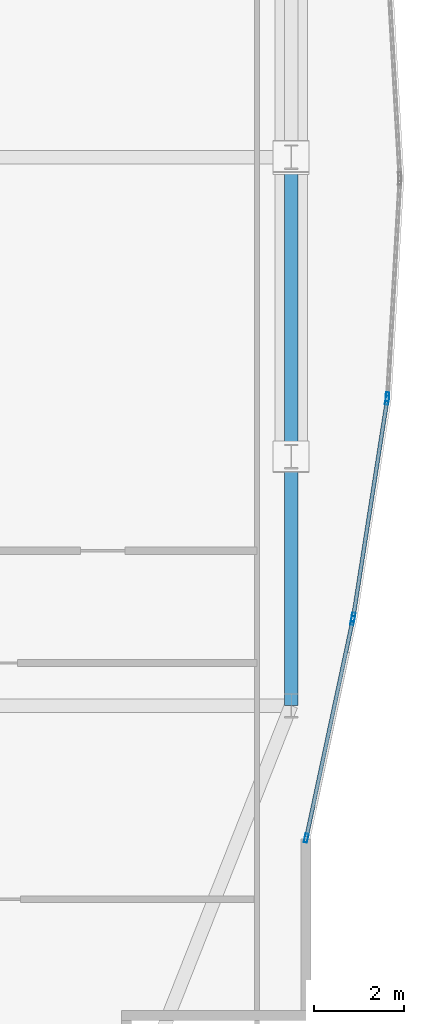
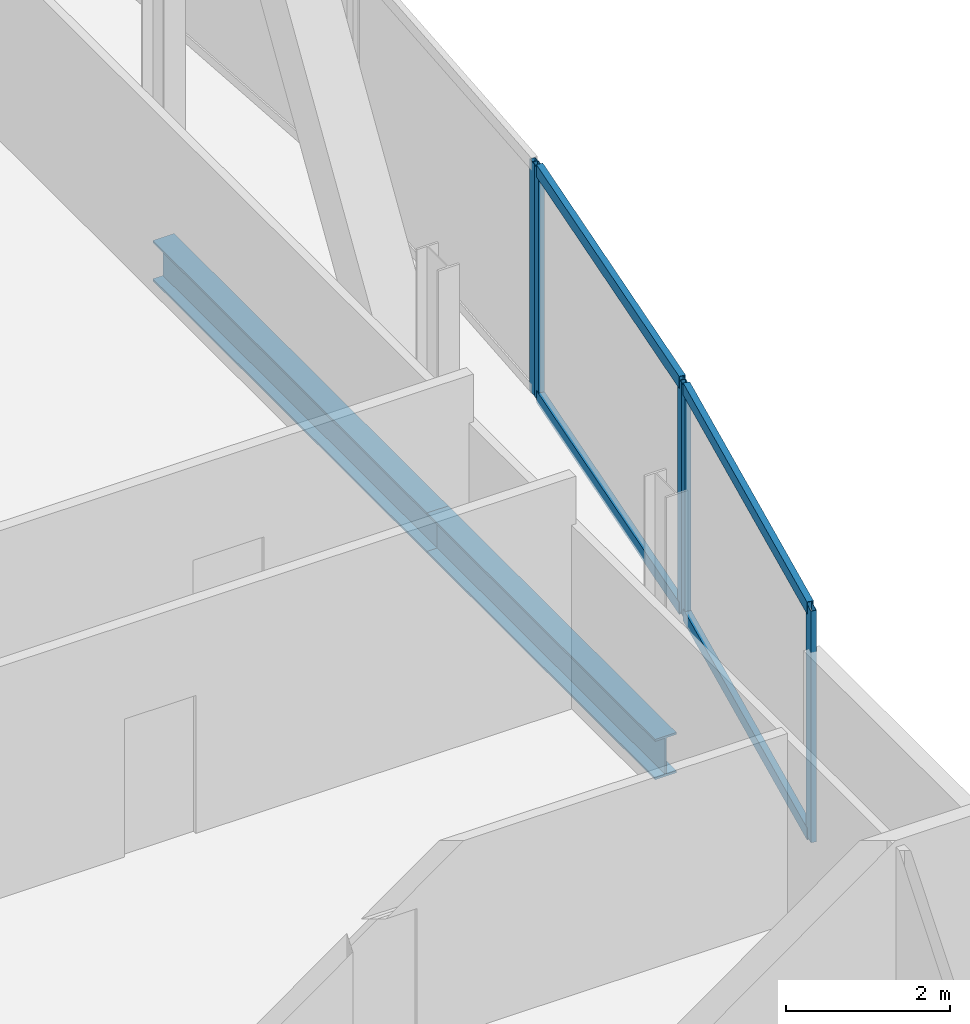
# One storey, part 21 of 30: 9 members, 2 beams, 3 elements without a shape of their own.
"""IFC4 building model written with IfcOpenShell, lengths in metres."""

from ifc_helpers import new_model, si_unit, direction, frame, origin, origin_2d, place, context, subcontext, project, spatial, hollow_rectangle, i_section, extrude, material, material_profile, profile_set, type_object, element, aggregate, save


model = new_model("IFC4")

# Units and contexts
model_context = context("Model", 3, precision=1e-05, world=origin(), true_north=direction((0.0, 1.0)))
body_context = subcontext(model_context, "Body", "Model", "MODEL_VIEW")
ifc_project = project(units=[si_unit("LENGTHUNIT", "METRE"), si_unit("AREAUNIT", "SQUARE_METRE"), si_unit("VOLUMEUNIT", "CUBIC_METRE"), si_unit("PLANEANGLEUNIT", "RADIAN"), si_unit("MASSUNIT", "GRAM", prefix="KILO")], contexts=[model_context])

# Site, building, storey
site_placement = place(None, origin())
site = spatial("IfcSite", under=ifc_project, at=site_placement, CompositionType="ELEMENT")
building_placement = place(site_placement, origin())
building = spatial("IfcBuilding", under=site, at=building_placement, Name="Khoronbel Lancet Exchange", CompositionType="ELEMENT")
storey_placement = place(building_placement, frame((0.0, 0.0, 157.800048828125)))
storey = spatial("IfcBuildingStorey", under=building, at=storey_placement, Name="L39", CompositionType="ELEMENT", Elevation=157.800048828125)

# Beams
ifc_material_1 = material(Name="Steel S355", Category="steel")
ifc_material_profile_1 = material_profile(ifc_material_1, i_section(OverallWidth=0.300048828125, OverallDepth=0.60009765625, WebThickness=0.015380859375, FlangeThickness=0.030029296875, at=origin_2d()), Name="HEB 600")
ifc_profile_set_1 = profile_set([ifc_material_profile_1], Name="Steel S355")
beam_type = type_object("IfcBeamType", Name="BM-BSP2", PredefinedType="SPANDREL", material=ifc_profile_set_1)
beam_1_placement = place(storey_placement, frame((67.6298828125, 19.199951171875, -0.4599609375), z_axis=(0.0, 1.0, 0.0), x_axis=(-1.0, 0.0, 0.0)))
element("IfcBeam", 1, at=beam_1_placement, inside=storey, type_object=beam_type, Name="Level L39 perimeter spandrel beam SP11", PredefinedType="SPANDREL", context=body_context, shape_type="SweptSolid", body=[
    extrude(i_section(OverallWidth=0.300048828125, OverallDepth=0.60009765625, WebThickness=0.015380859375, FlangeThickness=0.030029296875, at=origin_2d()), origin(), (0.0, 0.0, 1.0), 5.550048828125),
])
beam_2_placement = place(storey_placement, frame((67.6298828125, 24.75, -0.4599609375), z_axis=(0.0, 1.0, 0.0), x_axis=(-1.0, 0.0, 0.0)))
element("IfcBeam", 2, at=beam_2_placement, inside=storey, type_object=beam_type, Name="Level L39 perimeter spandrel beam SP12", PredefinedType="SPANDREL", context=body_context, shape_type="SweptSolid", body=[
    extrude(i_section(OverallWidth=0.300048828125, OverallDepth=0.60009765625, WebThickness=0.015380859375, FlangeThickness=0.030029296875, at=origin_2d()), origin(), (0.0, 0.0, 1.0), 6.675048828125),
])

# Curtain wall, member
ifc_material_2 = material(Name="Low-E Solar Control Insulating Glass", Category="glass")
curtain_wall_type = type_object("IfcCurtainWallType", Name="CW-4", PredefinedType="NOTDEFINED", material=ifc_material_2)
curtain_wall_1_placement = place(storey_placement, origin())
curtain_wall_1 = element("IfcCurtainWall", 3, at=curtain_wall_1_placement, inside=storey, type_object=curtain_wall_type, Name="Unitised curtain wall CW-L39-E20", PredefinedType="NOTDEFINED")
ifc_material_3 = material(Name="Bronze-Anodised Aluminium 6063-T6", Category="aluminium")
ifc_material_profile_2 = material_profile(ifc_material_3, hollow_rectangle(XDim=0.074951171875, YDim=0.199951171875, WallThickness=0.0048828125, at=origin_2d()), Name="ALU MULLION 75x200")
ifc_profile_set_2 = profile_set([ifc_material_profile_2], Name="Bronze-Anodised Aluminium 6063-T6")
member_type_1 = type_object("IfcMemberType", Name="MEM-CWM2", PredefinedType="MULLION", material=ifc_profile_set_2)
member_1_placement = place(storey_placement, frame((69.77783203125, 26.080322265625, 0.0), z_axis=(0.0, 0.0, 1.0), x_axis=(0.998372625392, -0.05702719411, 0.0)))
member_1 = element("IfcMember", 4, at=member_1_placement, type_object=member_type_1, Name="CW4 mullion 2", PredefinedType="MULLION", context=body_context, shape_type="SweptSolid", body=[
    extrude(hollow_rectangle(XDim=0.074951171875, YDim=0.199951171875, WallThickness=0.0048828125, at=origin_2d()), origin(), (0.0, 0.0, 1.0), 3.43994140625),
])
aggregate(curtain_wall_1, [member_1])

# Curtain wall, members
curtain_wall_2_placement = place(storey_placement, origin())
curtain_wall_2 = element("IfcCurtainWall", 5, at=curtain_wall_2_placement, inside=storey, type_object=curtain_wall_type, Name="Unitised curtain wall CW-L39-E21", PredefinedType="NOTDEFINED")
member_2_placement = place(storey_placement, frame((69.77001953125, 26.005859375, 0.0), z_axis=(0.0, 0.0, 1.0), x_axis=(0.98804136719, -0.154189029189, 0.0)))
member_2 = element("IfcMember", 6, at=member_2_placement, type_object=member_type_1, Name="CW4 mullion 1", PredefinedType="MULLION", context=body_context, shape_type="SweptSolid", body=[
    extrude(hollow_rectangle(XDim=0.074951171875, YDim=0.199951171875, WallThickness=0.0048828125, at=origin_2d()), origin(), (0.0, 0.0, 1.0), 3.43994140625),
])
member_3_placement = place(storey_placement, frame((69.015380859375, 21.170166015625, 0.0), z_axis=(0.0, 0.0, 1.0), x_axis=(0.98804136719, -0.154189029189, 0.0)))
member_3 = element("IfcMember", 7, at=member_3_placement, type_object=member_type_1, Name="CW4 mullion 2", PredefinedType="MULLION", context=body_context, shape_type="SweptSolid", body=[
    extrude(hollow_rectangle(XDim=0.074951171875, YDim=0.199951171875, WallThickness=0.0048828125, at=origin_2d()), origin(), (0.0, 0.0, 1.0), 3.43994140625),
])

curtain_wall_3_placement = place(storey_placement, origin())
curtain_wall_3 = element("IfcCurtainWall", 8, at=curtain_wall_3_placement, inside=storey, type_object=curtain_wall_type, Name="Unitised curtain wall CW-L39-E22", PredefinedType="NOTDEFINED")
member_4_placement = place(storey_placement, frame((69.001708984375, 21.096435546875, 0.0), z_axis=(0.0, 0.0, 1.0), x_axis=(0.978023090529, -0.208496605228, 0.0)))
member_4 = element("IfcMember", 9, at=member_4_placement, type_object=member_type_1, Name="CW4 mullion 1", PredefinedType="MULLION", context=body_context, shape_type="SweptSolid", body=[
    extrude(hollow_rectangle(XDim=0.074951171875, YDim=0.199951171875, WallThickness=0.0048828125, at=origin_2d()), origin(), (0.0, 0.0, 1.0), 3.43994140625),
])
member_5_placement = place(storey_placement, frame((67.9677734375, 16.24609375, 0.0), z_axis=(0.0, 0.0, 1.0), x_axis=(0.978023090529, -0.208496605228, 0.0)))
member_5 = element("IfcMember", 10, at=member_5_placement, type_object=member_type_1, Name="CW4 mullion 2", PredefinedType="MULLION", context=body_context, shape_type="SweptSolid", body=[
    extrude(hollow_rectangle(XDim=0.074951171875, YDim=0.199951171875, WallThickness=0.0048828125, at=origin_2d()), origin(), (0.0, 0.0, 1.0), 3.43994140625),
])

# Member
ifc_material_profile_3 = material_profile(ifc_material_3, hollow_rectangle(XDim=0.0849609375, YDim=0.179931640625, WallThickness=0.0048828125, at=origin_2d()), Name="ALU TRANSOM 85x180")
ifc_profile_set_3 = profile_set([ifc_material_profile_3], Name="Bronze-Anodised Aluminium 6063-T6")
member_type_2 = type_object("IfcMemberType", Name="MEM-CWT1", PredefinedType="USERDEFINED", material=ifc_profile_set_3)
member_6_placement = place(storey_placement, frame((69.76416015625, 25.96875, 0.04248046875), z_axis=(-0.154154345214, -0.988046779182, 0.0), x_axis=(0.988046779182, -0.154154345214, 0.0)))
member_6 = element("IfcMember", 11, at=member_6_placement, type_object=member_type_2, Name="CW4 transom 1.1", ObjectType="TRANSOM", PredefinedType="USERDEFINED", context=body_context, shape_type="SweptSolid", body=[
    extrude(hollow_rectangle(XDim=0.0849609375, YDim=0.179931640625, WallThickness=0.0048828125, at=origin_2d()), origin(), (0.0, 0.0, 1.0), 4.8193359375),
])

member_7_placement = place(storey_placement, frame((69.76416015625, 25.96875, 3.3974609375), z_axis=(-0.154154345214, -0.988046779182, 0.0), x_axis=(0.988046779182, -0.154154345214, 0.0)))
member_7 = element("IfcMember", 12, at=member_7_placement, type_object=member_type_2, Name="CW4 transom 1.2", ObjectType="TRANSOM", PredefinedType="USERDEFINED", context=body_context, shape_type="SweptSolid", body=[
    extrude(hollow_rectangle(XDim=0.0849609375, YDim=0.179931640625, WallThickness=0.0048828125, at=origin_2d()), origin(), (0.0, 0.0, 1.0), 4.8193359375),
])

aggregate(curtain_wall_2, [member_2, member_3, member_6, member_7])

member_8_placement = place(storey_placement, frame((68.993896484375, 21.0595703125, 0.04248046875), z_axis=(-0.208501407633, -0.978022066732, 0.0), x_axis=(0.978022066732, -0.208501407633, 0.0)))
member_8 = element("IfcMember", 13, at=member_8_placement, type_object=member_type_2, Name="CW4 transom 1.1", ObjectType="TRANSOM", PredefinedType="USERDEFINED", context=body_context, shape_type="SweptSolid", body=[
    extrude(hollow_rectangle(XDim=0.0849609375, YDim=0.179931640625, WallThickness=0.0048828125, at=origin_2d()), origin(), (0.0, 0.0, 1.0), 4.884033203125),
])

member_9_placement = place(storey_placement, frame((68.993896484375, 21.0595703125, 3.3974609375), z_axis=(-0.208501407633, -0.978022066732, 0.0), x_axis=(0.978022066732, -0.208501407633, 0.0)))
member_9 = element("IfcMember", 14, at=member_9_placement, type_object=member_type_2, Name="CW4 transom 1.2", ObjectType="TRANSOM", PredefinedType="USERDEFINED", context=body_context, shape_type="SweptSolid", body=[
    extrude(hollow_rectangle(XDim=0.0849609375, YDim=0.179931640625, WallThickness=0.0048828125, at=origin_2d()), origin(), (0.0, 0.0, 1.0), 4.884033203125),
])

aggregate(curtain_wall_3, [member_4, member_5, member_8, member_9])

save(model, "model.ifc")
